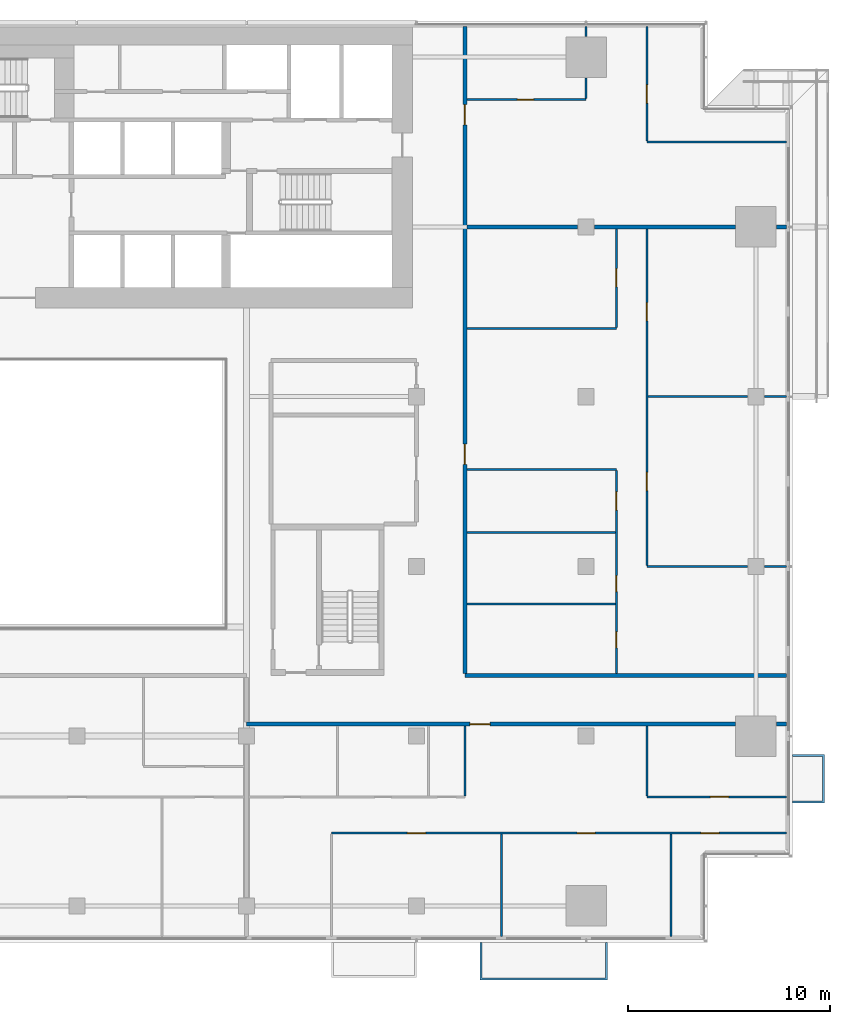
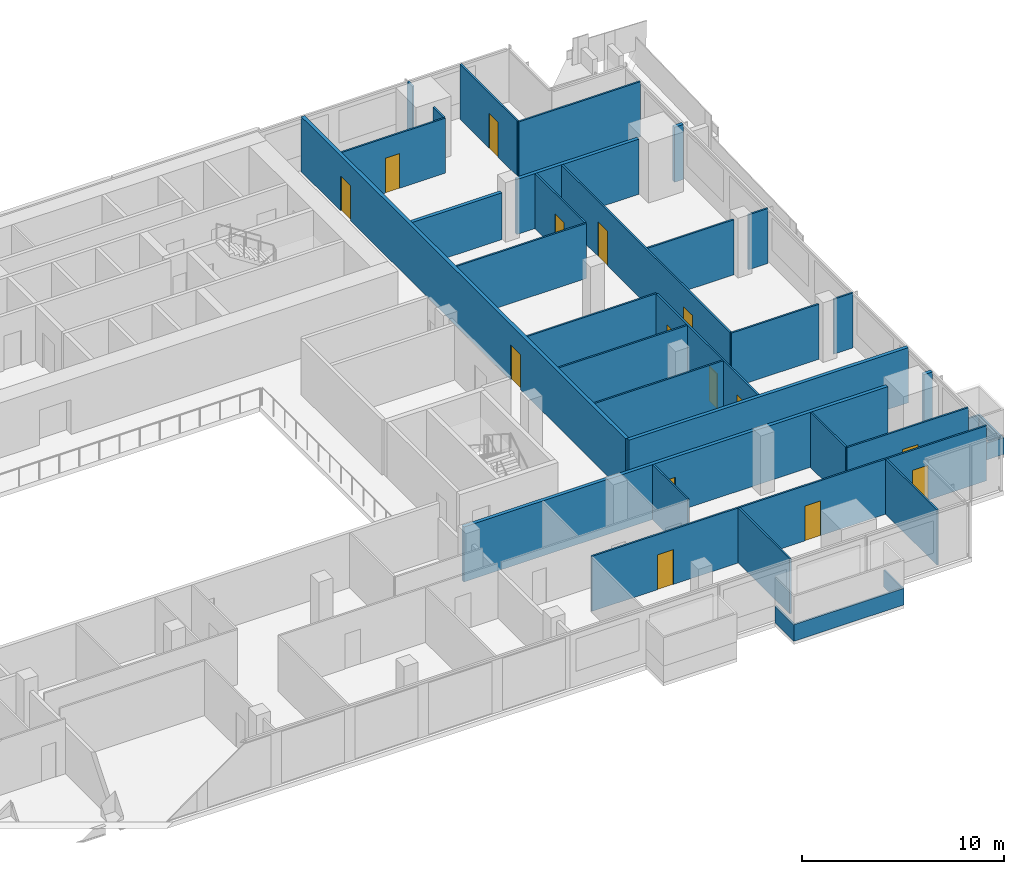
# One storey, part 24 of 29: 31 walls, 15 doors, 15 openings.
"""IFC4 building model written with IfcOpenShell, lengths in metres."""

from ifc_helpers import new_model, si_unit, direction, frame, frame_2d, origin, place, context, subcontext, project, spatial, polyline, rectangle, outline, extrude, material, layer, layer_set, type_object, element, fill, save


model = new_model("IFC4")

# Units and contexts
model_context = context("Model", 3, precision=1e-05, world=origin(), true_north=direction((0.0, 1.0)))
body_context = subcontext(model_context, "Body", "Model", "MODEL_VIEW")
ifc_project = project(units=[si_unit("LENGTHUNIT", "METRE"), si_unit("AREAUNIT", "SQUARE_METRE"), si_unit("VOLUMEUNIT", "CUBIC_METRE"), si_unit("PLANEANGLEUNIT", "RADIAN"), si_unit("MASSUNIT", "GRAM", prefix="KILO")], contexts=[model_context])

# Site, building, storey
site_placement = place(None, origin())
site = spatial("IfcSite", under=ifc_project, at=site_placement, CompositionType="ELEMENT")
building_placement = place(site_placement, origin())
building = spatial("IfcBuilding", under=site, at=building_placement, Name="Saffron Gate Tower", CompositionType="ELEMENT")
storey_placement = place(building_placement, frame((0.0, 0.0, 113.25)))
storey = spatial("IfcBuildingStorey", under=building, at=storey_placement, Name="L26", CompositionType="ELEMENT", Elevation=113.25)

# Wall, openings, doors
ifc_material_1 = material(Name="Plasterboard on steel studs", Category="steel")
ifc_layer_1 = layer(ifc_material_1, 0.10009765625)
ifc_layer_set_1 = layer_set([ifc_layer_1], Name="PW1 Partition 100")
wall_type_1 = type_object("IfcWallType", Name="PW1 Partition 100", PredefinedType="PARTITIONING", material=ifc_layer_set_1)
wall_1_placement = place(storey_placement, frame((126.919921875, 35.39990234375, 0.0), z_axis=(0.0, 0.0, 1.0), x_axis=(-1.0, 0.0, 0.0)))
wall_1 = element("IfcWall", 1, at=wall_1_placement, inside=storey, type_object=wall_type_1, Name="Partition B2-2", PredefinedType="PARTITIONING", context=body_context, shape_type="SweptSolid", body=[
    extrude(rectangle(XDim=22.52001953125, YDim=0.10009765625, at=frame_2d((11.260009765625, 0.0))), origin(), (0.0, 0.0, 1.0), 3.320068359375),
])
opening_1_placement = place(wall_1_placement, frame((3.345703125, 0.0, 0.0)))
opening_1 = element("IfcOpeningElement", 2, at=opening_1_placement, cuts=wall_1, Name="Opening B2-20", PredefinedType="OPENING", context=body_context, shape_type="SweptSolid", body=[
    extrude(rectangle(XDim=0.89990234375, YDim=2.10009765625, at=frame_2d((0.449951171875, 1.050048828125))), frame((0.0, 0.06005859375, 0.0), z_axis=(0.0, -1.0, 0.0), x_axis=(1.0, 0.0, 0.0)), (0.0, 0.0, 1.0), 0.1201171875),
])
opening_2_placement = place(wall_1_placement, frame((9.469970703125, 0.0, 0.0)))
opening_2 = element("IfcOpeningElement", 3, at=opening_2_placement, cuts=wall_1, Name="Opening B2-19", PredefinedType="OPENING", context=body_context, shape_type="SweptSolid", body=[
    extrude(rectangle(XDim=0.89990234375, YDim=2.10009765625, at=frame_2d((0.449951171875, 1.050048828125))), frame((0.0, 0.06005859375, 0.0), z_axis=(0.0, -1.0, 0.0), x_axis=(1.0, 0.0, 0.0)), (0.0, 0.0, 1.0), 0.1201171875),
])
opening_3_placement = place(wall_1_placement, frame((17.8701171875, 0.0, 0.0)))
opening_3 = element("IfcOpeningElement", 4, at=opening_3_placement, cuts=wall_1, Name="Opening B2-18", PredefinedType="OPENING", context=body_context, shape_type="SweptSolid", body=[
    extrude(rectangle(XDim=0.89990234375, YDim=2.10009765625, at=frame_2d((0.449951171875, 1.050048828125))), frame((0.0, 0.06005859375, 0.0), z_axis=(0.0, -1.0, 0.0), x_axis=(1.0, 0.0, 0.0)), (0.0, 0.0, 1.0), 0.1201171875),
])
ifc_material_2 = material(Name="Timber door set", Category="wood")
door_type_1 = type_object("IfcDoorType", Name="RD1 Room door 900x2100", OperationType="NOTDEFINED", PredefinedType="DOOR", material=ifc_material_2)
door_1_placement = place(opening_1_placement, origin())
door_1 = element("IfcDoor", 5, at=door_1_placement, inside=storey, type_object=door_type_1, Name="Door B2-20", OperationType="SINGLE_SWING_RIGHT", OverallHeight=2.10009765625, OverallWidth=0.89990234375, PredefinedType="DOOR", context=body_context, shape_type="SweptSolid", body=[
    extrude(rectangle(XDim=0.89990234375, YDim=2.10009765625, at=frame_2d((0.449951171875, 1.050048828125))), frame((0.0, 0.02490234375, 0.0), z_axis=(0.0, -1.0, 0.0), x_axis=(1.0, 0.0, 0.0)), (0.0, 0.0, 1.0), 0.050048828125),
])
fill(opening_1, door_1)
door_2_placement = place(opening_2_placement, origin())
door_2 = element("IfcDoor", 6, at=door_2_placement, inside=storey, type_object=door_type_1, Name="Door B2-19", OperationType="SINGLE_SWING_RIGHT", OverallHeight=2.10009765625, OverallWidth=0.89990234375, PredefinedType="DOOR", context=body_context, shape_type="SweptSolid", body=[
    extrude(rectangle(XDim=0.89990234375, YDim=2.10009765625, at=frame_2d((0.449951171875, 1.050048828125))), frame((0.0, 0.02490234375, 0.0), z_axis=(0.0, -1.0, 0.0), x_axis=(1.0, 0.0, 0.0)), (0.0, 0.0, 1.0), 0.050048828125),
])
fill(opening_2, door_2)
door_3_placement = place(opening_3_placement, origin())
door_3 = element("IfcDoor", 7, at=door_3_placement, inside=storey, type_object=door_type_1, Name="Door B2-18", OperationType="SINGLE_SWING_RIGHT", OverallHeight=2.10009765625, OverallWidth=0.89990234375, PredefinedType="DOOR", context=body_context, shape_type="SweptSolid", body=[
    extrude(rectangle(XDim=0.89990234375, YDim=2.10009765625, at=frame_2d((0.449951171875, 1.050048828125))), frame((0.0, 0.02490234375, 0.0), z_axis=(0.0, -1.0, 0.0), x_axis=(1.0, 0.0, 0.0)), (0.0, 0.0, 1.0), 0.050048828125),
])
fill(opening_3, door_3)

# Wall, opening, door
wall_2_placement = place(storey_placement, frame((120.0, 37.199951171875, 0.0), z_axis=(0.0, 0.0, 1.0), x_axis=(1.0, 0.0, 0.0)))
wall_2 = element("IfcWall", 8, at=wall_2_placement, inside=storey, type_object=wall_type_1, Name="Partition B2-6", PredefinedType="PARTITIONING", context=body_context, shape_type="SweptSolid", body=[
    extrude(rectangle(XDim=6.919921875, YDim=0.10009765625, at=frame_2d((3.4599609375, 0.0))), origin(), (0.0, 0.0, 1.0), 3.320068359375),
])
opening_4_placement = place(wall_2_placement, frame((3.14990234375, 0.0, 0.0)))
opening_4 = element("IfcOpeningElement", 9, at=opening_4_placement, cuts=wall_2, Name="Opening B2-21", PredefinedType="OPENING", context=body_context, shape_type="SweptSolid", body=[
    extrude(rectangle(XDim=0.89990234375, YDim=2.10009765625, at=frame_2d((0.449951171875, 1.050048828125))), frame((0.0, 0.06005859375, 0.0), z_axis=(0.0, -1.0, 0.0), x_axis=(1.0, 0.0, 0.0)), (0.0, 0.0, 1.0), 0.1201171875),
])
door_4_placement = place(opening_4_placement, origin())
door_4 = element("IfcDoor", 10, at=door_4_placement, inside=storey, type_object=door_type_1, Name="Door B2-21", OperationType="SINGLE_SWING_RIGHT", OverallHeight=2.10009765625, OverallWidth=0.89990234375, PredefinedType="DOOR", context=body_context, shape_type="SweptSolid", body=[
    extrude(rectangle(XDim=0.89990234375, YDim=2.10009765625, at=frame_2d((0.449951171875, 1.050048828125))), frame((0.0, 0.02490234375, 0.0), z_axis=(0.0, -1.0, 0.0), x_axis=(1.0, 0.0, 0.0)), (0.0, 0.0, 1.0), 0.050048828125),
])
fill(opening_4, door_4)

# Walls
wall_3_placement = place(storey_placement, frame((111.10009765625, 46.7333984375, 0.0), z_axis=(0.0, 0.0, 1.0), x_axis=(1.0, 0.0, 0.0)))
element("IfcWall", 11, at=wall_3_placement, inside=storey, type_object=wall_type_1, Name="Partition B2-17", PredefinedType="PARTITIONING", context=body_context, shape_type="SweptSolid", body=[
    extrude(rectangle(XDim=7.349853515625, YDim=0.10009765625, at=frame_2d((3.6748046875, 0.0))), origin(), (0.0, 0.0, 1.0), 3.320068359375),
])
wall_4_placement = place(storey_placement, frame((120.0, 48.60009765625, 0.0), z_axis=(0.0, 0.0, 1.0), x_axis=(1.0, 0.0, 0.0)))
element("IfcWall", 12, at=wall_4_placement, inside=storey, type_object=wall_type_1, Name="Partition B2-21", PredefinedType="PARTITIONING", context=body_context, shape_type="SweptSolid", body=[
    extrude(rectangle(XDim=4.97998046875, YDim=0.10009765625, at=frame_2d((2.489990234375, 0.0))), origin(), (0.0, 0.0, 1.0), 3.320068359375),
])
wall_5_placement = place(storey_placement, frame((125.820068359375, 48.60009765625, 0.0), z_axis=(0.0, 0.0, 1.0), x_axis=(1.0, 0.0, 0.0)))
element("IfcWall", 13, at=wall_5_placement, inside=storey, type_object=wall_type_1, Name="Partition B2-22", PredefinedType="PARTITIONING", context=body_context, shape_type="SweptSolid", body=[
    extrude(rectangle(XDim=1.099853515625, YDim=0.10009765625, at=frame_2d((0.5498046875, 0.0))), origin(), (0.0, 0.0, 1.0), 3.320068359375),
])
wall_6_placement = place(storey_placement, frame((111.10009765625, 50.2666015625, 0.0), z_axis=(0.0, 0.0, 1.0), x_axis=(1.0, 0.0, 0.0)))
element("IfcWall", 14, at=wall_6_placement, inside=storey, type_object=wall_type_1, Name="Partition B2-23", PredefinedType="PARTITIONING", context=body_context, shape_type="SweptSolid", body=[
    extrude(rectangle(XDim=7.349853515625, YDim=0.10009765625, at=frame_2d((3.6748046875, 0.0))), origin(), (0.0, 0.0, 1.0), 3.320068359375),
])
wall_7_placement = place(storey_placement, frame((111.10009765625, 53.39990234375, 0.0), z_axis=(0.0, 0.0, 1.0), x_axis=(1.0, 0.0, 0.0)))
element("IfcWall", 15, at=wall_7_placement, inside=storey, type_object=wall_type_1, Name="Partition B2-26", PredefinedType="PARTITIONING", context=body_context, shape_type="SweptSolid", body=[
    extrude(rectangle(XDim=7.39990234375, YDim=0.10009765625, at=frame_2d((3.699951171875, 0.0))), origin(), (0.0, 0.0, 1.0), 3.320068359375),
])
wall_8_placement = place(storey_placement, frame((120.050048828125, 57.0, 0.0), z_axis=(0.0, 0.0, 1.0), x_axis=(1.0, 0.0, 0.0)))
element("IfcWall", 16, at=wall_8_placement, inside=storey, type_object=wall_type_1, Name="Partition B2-32", PredefinedType="PARTITIONING", context=body_context, shape_type="SweptSolid", body=[
    extrude(rectangle(XDim=4.929931640625, YDim=0.10009765625, at=frame_2d((2.46484375, 0.0))), origin(), (0.0, 0.0, 1.0), 3.320068359375),
])
wall_9_placement = place(storey_placement, frame((125.820068359375, 57.0, 0.0), z_axis=(0.0, 0.0, 1.0), x_axis=(1.0, 0.0, 0.0)))
element("IfcWall", 17, at=wall_9_placement, inside=storey, type_object=wall_type_1, Name="Partition B2-33", PredefinedType="PARTITIONING", context=body_context, shape_type="SweptSolid", body=[
    extrude(rectangle(XDim=1.099853515625, YDim=0.10009765625, at=frame_2d((0.5498046875, 0.0))), origin(), (0.0, 0.0, 1.0), 3.320068359375),
])
wall_10_placement = place(storey_placement, frame((111.10009765625, 60.36669921875, 0.0), z_axis=(0.0, 0.0, 1.0), x_axis=(1.0, 0.0, 0.0)))
element("IfcWall", 18, at=wall_10_placement, inside=storey, type_object=wall_type_1, Name="Partition B2-37", PredefinedType="PARTITIONING", context=body_context, shape_type="SweptSolid", body=[
    extrude(rectangle(XDim=7.39990234375, YDim=0.10009765625, at=frame_2d((3.699951171875, 0.0))), origin(), (0.0, 0.0, 1.0), 3.320068359375),
])
wall_11_placement = place(storey_placement, frame((120.0, 69.60009765625, 0.0), z_axis=(0.0, 0.0, 1.0), x_axis=(1.0, 0.0, 0.0)))
element("IfcWall", 19, at=wall_11_placement, inside=storey, type_object=wall_type_1, Name="Partition B2-47", PredefinedType="PARTITIONING", context=body_context, shape_type="SweptSolid", body=[
    extrude(rectangle(XDim=6.919921875, YDim=0.10009765625, at=frame_2d((3.4599609375, 0.0))), origin(), (0.0, 0.0, 1.0), 3.320068359375),
])

# Wall, opening, door
wall_12_placement = place(storey_placement, frame((111.10009765625, 71.699951171875, 0.0), z_axis=(0.0, 0.0, 1.0), x_axis=(1.0, 0.0, 0.0)))
wall_12 = element("IfcWall", 20, at=wall_12_placement, inside=storey, type_object=wall_type_1, Name="Partition B2-48", PredefinedType="PARTITIONING", context=body_context, shape_type="SweptSolid", body=[
    extrude(rectangle(XDim=5.89990234375, YDim=0.10009765625, at=frame_2d((2.949951171875, 0.0))), origin(), (0.0, 0.0, 1.0), 3.320068359375),
])
opening_5_placement = place(wall_12_placement, frame((2.5, 0.0, 0.0)))
opening_5 = element("IfcOpeningElement", 21, at=opening_5_placement, cuts=wall_12, Name="Opening B2-47", PredefinedType="OPENING", context=body_context, shape_type="SweptSolid", body=[
    extrude(rectangle(XDim=0.800048828125, YDim=2.10009765625, at=frame_2d((0.39990234375, 1.050048828125))), frame((0.0, 0.06005859375, 0.0), z_axis=(0.0, -1.0, 0.0), x_axis=(1.0, 0.0, 0.0)), (0.0, 0.0, 1.0), 0.1201171875),
])
door_type_2 = type_object("IfcDoorType", Name="RD2 Bathroom door 800x2100", OperationType="NOTDEFINED", PredefinedType="DOOR", material=ifc_material_2)
door_5_placement = place(opening_5_placement, origin())
door_5 = element("IfcDoor", 22, at=door_5_placement, inside=storey, type_object=door_type_2, Name="Door B2-47", OperationType="SINGLE_SWING_LEFT", OverallHeight=2.10009765625, OverallWidth=0.800048828125, PredefinedType="DOOR", context=body_context, shape_type="SweptSolid", body=[
    extrude(rectangle(XDim=0.800048828125, YDim=2.10009765625, at=frame_2d((0.39990234375, 1.050048828125))), frame((0.0, 0.02490234375, 0.0), z_axis=(0.0, -1.0, 0.0), x_axis=(1.0, 0.0, 0.0)), (0.0, 0.0, 1.0), 0.050048828125),
])
fill(opening_5, door_5)

# Walls
wall_13_placement = place(storey_placement, frame((111.0, 40.699951171875, 0.0), z_axis=(0.0, 0.0, 1.0), x_axis=(0.0, -1.0, 0.0)))
element("IfcWall", 23, at=wall_13_placement, inside=storey, type_object=wall_type_1, Name="Partition B2-90", PredefinedType="PARTITIONING", context=body_context, shape_type="SweptSolid", body=[
    extrude(rectangle(XDim=3.449951171875, YDim=0.10009765625, at=frame_2d((1.72509765625, 0.0))), origin(), (0.0, 0.0, 1.0), 3.320068359375),
])
wall_14_placement = place(storey_placement, frame((112.800048828125, 35.35009765625, 0.0), z_axis=(0.0, 0.0, 1.0), x_axis=(0.0, -1.0, 0.0)))
element("IfcWall", 24, at=wall_14_placement, inside=storey, type_object=wall_type_1, Name="Partition B2-91", PredefinedType="PARTITIONING", context=body_context, shape_type="SweptSolid", body=[
    extrude(rectangle(XDim=5.070068359375, YDim=0.10009765625, at=frame_2d((2.53515625, 0.0))), origin(), (0.0, 0.0, 1.0), 3.320068359375),
])
wall_15_placement = place(storey_placement, frame((117.0, 72.780029296875, 0.0), z_axis=(0.0, 0.0, 1.0), x_axis=(0.0, -1.0, 0.0)))
element("IfcWall", 25, at=wall_15_placement, inside=storey, type_object=wall_type_1, Name="Partition B2-92", PredefinedType="PARTITIONING", context=body_context, shape_type="SweptSolid", body=[
    extrude(rectangle(XDim=1.030029296875, YDim=0.10009765625, at=frame_2d((0.51513671875, 0.0))), origin(), (0.0, 0.0, 1.0), 3.320068359375),
])
wall_16_placement = place(storey_placement, frame((117.0, 75.320068359375, 0.0), z_axis=(0.0, 0.0, 1.0), x_axis=(0.0, -1.0, 0.0)))
element("IfcWall", 26, at=wall_16_placement, inside=storey, type_object=wall_type_1, Name="Partition B2-93", PredefinedType="PARTITIONING", context=body_context, shape_type="SweptSolid", body=[
    extrude(rectangle(XDim=0.5, YDim=0.10009765625, at=frame_2d((0.25, 0.0))), origin(), (0.0, 0.0, 1.0), 3.320068359375),
])

# Wall, openings, doors
wall_17_placement = place(storey_placement, frame((118.5, 43.300048828125, 0.0), z_axis=(0.0, 0.0, 1.0), x_axis=(0.0, 1.0, 0.0)))
wall_17 = element("IfcWall", 27, at=wall_17_placement, inside=storey, type_object=wall_type_1, Name="Partition B2-94", PredefinedType="PARTITIONING", context=body_context, shape_type="SweptSolid", body=[
    extrude(rectangle(XDim=10.050048828125, YDim=0.10009765625, at=frame_2d((5.02490234375, 0.0))), origin(), (0.0, 0.0, 1.0), 3.320068359375),
])
opening_6_placement = place(wall_17_placement, frame((1.2666015625, 0.0, 0.0)))
opening_6 = element("IfcOpeningElement", 28, at=opening_6_placement, cuts=wall_17, Name="Opening B2-45", PredefinedType="OPENING", context=body_context, shape_type="SweptSolid", body=[
    extrude(rectangle(XDim=0.800048828125, YDim=2.10009765625, at=frame_2d((0.39990234375, 1.050048828125))), frame((0.0, 0.06005859375, 0.0), z_axis=(0.0, -1.0, 0.0), x_axis=(1.0, 0.0, 0.0)), (0.0, 0.0, 1.0), 0.1201171875),
])
opening_7_placement = place(wall_17_placement, frame((4.050048828125, 0.0, 0.0)))
opening_7 = element("IfcOpeningElement", 29, at=opening_7_placement, cuts=wall_17, Name="Opening B2-46", PredefinedType="OPENING", context=body_context, shape_type="SweptSolid", body=[
    extrude(rectangle(XDim=0.800048828125, YDim=2.10009765625, at=frame_2d((0.39990234375, 1.050048828125))), frame((0.0, 0.06005859375, 0.0), z_axis=(0.0, -1.0, 0.0), x_axis=(1.0, 0.0, 0.0)), (0.0, 0.0, 1.0), 0.1201171875),
])
opening_8_placement = place(wall_17_placement, frame((8.083251953125, 0.0, 0.0)))
opening_8 = element("IfcOpeningElement", 30, at=opening_8_placement, cuts=wall_17, Name="Opening B2-33", PredefinedType="OPENING", context=body_context, shape_type="SweptSolid", body=[
    extrude(rectangle(XDim=0.89990234375, YDim=2.10009765625, at=frame_2d((0.449951171875, 1.050048828125))), frame((0.0, 0.06005859375, 0.0), z_axis=(0.0, -1.0, 0.0), x_axis=(1.0, 0.0, 0.0)), (0.0, 0.0, 1.0), 0.1201171875),
])
door_6_placement = place(opening_8_placement, origin())
door_6 = element("IfcDoor", 31, at=door_6_placement, inside=storey, type_object=door_type_1, Name="Door B2-33", OperationType="SINGLE_SWING_RIGHT", OverallHeight=2.10009765625, OverallWidth=0.89990234375, PredefinedType="DOOR", context=body_context, shape_type="SweptSolid", body=[
    extrude(rectangle(XDim=0.89990234375, YDim=2.10009765625, at=frame_2d((0.449951171875, 1.050048828125))), frame((0.0, 0.02490234375, 0.0), z_axis=(0.0, -1.0, 0.0), x_axis=(1.0, 0.0, 0.0)), (0.0, 0.0, 1.0), 0.050048828125),
])
fill(opening_8, door_6)
door_7_placement = place(opening_6_placement, origin())
door_7 = element("IfcDoor", 32, at=door_7_placement, inside=storey, type_object=door_type_2, Name="Door B2-45", OperationType="SINGLE_SWING_LEFT", OverallHeight=2.10009765625, OverallWidth=0.800048828125, PredefinedType="DOOR", context=body_context, shape_type="SweptSolid", body=[
    extrude(rectangle(XDim=0.800048828125, YDim=2.10009765625, at=frame_2d((0.39990234375, 1.050048828125))), frame((0.0, 0.02490234375, 0.0), z_axis=(0.0, -1.0, 0.0), x_axis=(1.0, 0.0, 0.0)), (0.0, 0.0, 1.0), 0.050048828125),
])
fill(opening_6, door_7)
door_8_placement = place(opening_7_placement, origin())
door_8 = element("IfcDoor", 33, at=door_8_placement, inside=storey, type_object=door_type_2, Name="Door B2-46", OperationType="SINGLE_SWING_LEFT", OverallHeight=2.10009765625, OverallWidth=0.800048828125, PredefinedType="DOOR", context=body_context, shape_type="SweptSolid", body=[
    extrude(rectangle(XDim=0.800048828125, YDim=2.10009765625, at=frame_2d((0.39990234375, 1.050048828125))), frame((0.0, 0.02490234375, 0.0), z_axis=(0.0, -1.0, 0.0), x_axis=(1.0, 0.0, 0.0)), (0.0, 0.0, 1.0), 0.050048828125),
])
fill(opening_7, door_8)

# Wall, opening, door
wall_18_placement = place(storey_placement, frame((118.5, 60.416748046875, 0.0), z_axis=(0.0, 0.0, 1.0), x_axis=(0.0, 1.0, 0.0)))
wall_18 = element("IfcWall", 34, at=wall_18_placement, inside=storey, type_object=wall_type_1, Name="Partition B2-95", PredefinedType="PARTITIONING", context=body_context, shape_type="SweptSolid", body=[
    extrude(rectangle(XDim=4.88330078125, YDim=0.10009765625, at=frame_2d((2.441650390625, 0.0))), origin(), (0.0, 0.0, 1.0), 3.320068359375),
])
opening_9_placement = place(wall_18_placement, frame((2.0166015625, 0.0, 0.0)))
opening_9 = element("IfcOpeningElement", 35, at=opening_9_placement, cuts=wall_18, Name="Opening B2-32", PredefinedType="OPENING", context=body_context, shape_type="SweptSolid", body=[
    extrude(rectangle(XDim=0.89990234375, YDim=2.10009765625, at=frame_2d((0.449951171875, 1.050048828125))), frame((0.0, 0.06005859375, 0.0), z_axis=(0.0, -1.0, 0.0), x_axis=(1.0, 0.0, 0.0)), (0.0, 0.0, 1.0), 0.1201171875),
])
door_9_placement = place(opening_9_placement, origin())
door_9 = element("IfcDoor", 36, at=door_9_placement, inside=storey, type_object=door_type_1, Name="Door B2-32", OperationType="SINGLE_SWING_RIGHT", OverallHeight=2.10009765625, OverallWidth=0.89990234375, PredefinedType="DOOR", context=body_context, shape_type="SweptSolid", body=[
    extrude(rectangle(XDim=0.89990234375, YDim=2.10009765625, at=frame_2d((0.449951171875, 1.050048828125))), frame((0.0, 0.02490234375, 0.0), z_axis=(0.0, -1.0, 0.0), x_axis=(1.0, 0.0, 0.0)), (0.0, 0.0, 1.0), 0.050048828125),
])
fill(opening_9, door_9)

# Wall
wall_19_placement = place(storey_placement, frame((120.0, 40.699951171875, 0.0), z_axis=(0.0, 0.0, 1.0), x_axis=(0.0, -1.0, 0.0)))
element("IfcWall", 37, at=wall_19_placement, inside=storey, type_object=wall_type_1, Name="Partition B2-96", PredefinedType="PARTITIONING", context=body_context, shape_type="SweptSolid", body=[
    extrude(rectangle(XDim=3.449951171875, YDim=0.10009765625, at=frame_2d((1.72509765625, 0.0))), origin(), (0.0, 0.0, 1.0), 3.320068359375),
])

# Wall, openings, doors
wall_20_placement = place(storey_placement, frame((120.0, 65.300048828125, 0.0), z_axis=(0.0, 0.0, 1.0), x_axis=(0.0, -1.0, 0.0)))
wall_20 = element("IfcWall", 38, at=wall_20_placement, inside=storey, type_object=wall_type_1, Name="Partition B2-97", PredefinedType="PARTITIONING", context=body_context, shape_type="SweptSolid", body=[
    extrude(rectangle(XDim=16.650146484375, YDim=0.10009765625, at=frame_2d((8.3251953125, 0.0))), origin(), (0.0, 0.0, 1.0), 3.320068359375),
])
opening_10_placement = place(wall_20_placement, frame((3.64990234375, 0.0, 0.0)))
opening_10 = element("IfcOpeningElement", 39, at=opening_10_placement, cuts=wall_20, Name="Opening B2-31", PredefinedType="OPENING", context=body_context, shape_type="SweptSolid", body=[
    extrude(rectangle(XDim=0.89990234375, YDim=2.10009765625, at=frame_2d((0.449951171875, 1.050048828125))), frame((0.0, 0.06005859375, 0.0), z_axis=(0.0, -1.0, 0.0), x_axis=(1.0, 0.0, 0.0)), (0.0, 0.0, 1.0), 0.1201171875),
])
opening_11_placement = place(wall_20_placement, frame((12.050048828125, 0.0, 0.0)))
opening_11 = element("IfcOpeningElement", 40, at=opening_11_placement, cuts=wall_20, Name="Opening B2-30", PredefinedType="OPENING", context=body_context, shape_type="SweptSolid", body=[
    extrude(rectangle(XDim=0.89990234375, YDim=2.10009765625, at=frame_2d((0.449951171875, 1.050048828125))), frame((0.0, 0.06005859375, 0.0), z_axis=(0.0, -1.0, 0.0), x_axis=(1.0, 0.0, 0.0)), (0.0, 0.0, 1.0), 0.1201171875),
])
door_10_placement = place(opening_10_placement, origin())
door_10 = element("IfcDoor", 41, at=door_10_placement, inside=storey, type_object=door_type_1, Name="Door B2-31", OperationType="SINGLE_SWING_LEFT", OverallHeight=2.10009765625, OverallWidth=0.89990234375, PredefinedType="DOOR", context=body_context, shape_type="SweptSolid", body=[
    extrude(rectangle(XDim=0.89990234375, YDim=2.10009765625, at=frame_2d((0.449951171875, 1.050048828125))), frame((0.0, 0.02490234375, 0.0), z_axis=(0.0, -1.0, 0.0), x_axis=(1.0, 0.0, 0.0)), (0.0, 0.0, 1.0), 0.050048828125),
])
fill(opening_10, door_10)
door_11_placement = place(opening_11_placement, origin())
door_11 = element("IfcDoor", 42, at=door_11_placement, inside=storey, type_object=door_type_1, Name="Door B2-30", OperationType="SINGLE_SWING_RIGHT", OverallHeight=2.10009765625, OverallWidth=0.89990234375, PredefinedType="DOOR", context=body_context, shape_type="SweptSolid", body=[
    extrude(rectangle(XDim=0.89990234375, YDim=2.10009765625, at=frame_2d((0.449951171875, 1.050048828125))), frame((0.0, 0.02490234375, 0.0), z_axis=(0.0, -1.0, 0.0), x_axis=(1.0, 0.0, 0.0)), (0.0, 0.0, 1.0), 0.050048828125),
])
fill(opening_11, door_11)

# Wall, opening, door
wall_21_placement = place(storey_placement, frame((120.0, 75.320068359375, 0.0), z_axis=(0.0, 0.0, 1.0), x_axis=(0.0, -1.0, 0.0)))
wall_21 = element("IfcWall", 43, at=wall_21_placement, inside=storey, type_object=wall_type_1, Name="Partition B2-98", PredefinedType="PARTITIONING", context=body_context, shape_type="SweptSolid", body=[
    extrude(rectangle(XDim=5.670166015625, YDim=0.10009765625, at=frame_2d((2.8349609375, 0.0))), origin(), (0.0, 0.0, 1.0), 3.320068359375),
])
opening_12_placement = place(wall_21_placement, frame((2.89111328125, 0.0, 0.0)))
opening_12 = element("IfcOpeningElement", 44, at=opening_12_placement, cuts=wall_21, Name="Opening B2-34", PredefinedType="OPENING", context=body_context, shape_type="SweptSolid", body=[
    extrude(rectangle(XDim=0.89990234375, YDim=2.10009765625, at=frame_2d((0.449951171875, 1.050048828125))), frame((0.0, 0.06005859375, 0.0), z_axis=(0.0, -1.0, 0.0), x_axis=(1.0, 0.0, 0.0)), (0.0, 0.0, 1.0), 0.1201171875),
])
door_12_placement = place(opening_12_placement, origin())
door_12 = element("IfcDoor", 45, at=door_12_placement, inside=storey, type_object=door_type_1, Name="Door B2-34", OperationType="SINGLE_SWING_RIGHT", OverallHeight=2.10009765625, OverallWidth=0.89990234375, PredefinedType="DOOR", context=body_context, shape_type="SweptSolid", body=[
    extrude(rectangle(XDim=0.89990234375, YDim=2.10009765625, at=frame_2d((0.449951171875, 1.050048828125))), frame((0.0, 0.02490234375, 0.0), z_axis=(0.0, -1.0, 0.0), x_axis=(1.0, 0.0, 0.0)), (0.0, 0.0, 1.0), 0.050048828125),
])
fill(opening_12, door_12)

# Walls
wall_22_placement = place(storey_placement, frame((121.199951171875, 35.35009765625, 0.0), z_axis=(0.0, 0.0, 1.0), x_axis=(0.0, -1.0, 0.0)))
element("IfcWall", 46, at=wall_22_placement, inside=storey, type_object=wall_type_1, Name="Partition B2-99", PredefinedType="PARTITIONING", context=body_context, shape_type="SweptSolid", body=[
    extrude(rectangle(XDim=5.070068359375, YDim=0.10009765625, at=frame_2d((2.53515625, 0.0))), origin(), (0.0, 0.0, 1.0), 3.320068359375),
])
ifc_material_3 = material(Name="Clay brick masonry, rendered", Category="masonry")
ifc_layer_2 = layer(ifc_material_3, 0.199951171875)
ifc_layer_set_2 = layer_set([ifc_layer_2], Name="PW2 Demising wall 200")
wall_type_2 = type_object("IfcWallType", Name="PW2 Demising wall 200", PredefinedType="PARTITIONING", material=ifc_layer_set_2)
wall_23_placement = place(storey_placement, frame((111.10009765625, 65.39990234375, 0.0), z_axis=(0.0, 0.0, 1.0), x_axis=(1.0, 0.0, 0.0)))
element("IfcWall", 47, at=wall_23_placement, inside=storey, type_object=wall_type_2, Name="Wall B2-40", PredefinedType="PARTITIONING", context=body_context, shape_type="SweptSolid", body=[
    extrude(rectangle(XDim=5.47998046875, YDim=0.199951171875, at=frame_2d((2.739990234375, 0.0))), origin(), (0.0, 0.0, 1.0), 2.820068359375),
])
wall_24_placement = place(storey_placement, frame((117.419921875, 65.39990234375, 0.0), z_axis=(0.0, 0.0, 1.0), x_axis=(1.0, 0.0, 0.0)))
element("IfcWall", 48, at=wall_24_placement, inside=storey, type_object=wall_type_2, Name="Wall B2-41", PredefinedType="PARTITIONING", context=body_context, shape_type="SweptSolid", body=[
    extrude(rectangle(XDim=6.9599609375, YDim=0.199951171875, at=frame_2d((3.47998046875, 0.0))), origin(), (0.0, 0.0, 1.0), 3.320068359375),
])
wall_25_placement = place(storey_placement, frame((126.419921875, 65.39990234375, 0.0), z_axis=(0.0, 0.0, 1.0), x_axis=(1.0, 0.0, 0.0)))
element("IfcWall", 49, at=wall_25_placement, inside=storey, type_object=wall_type_2, Name="Wall B2-42", PredefinedType="PARTITIONING", context=body_context, shape_type="SweptSolid", body=[
    extrude(rectangle(XDim=0.5, YDim=0.199951171875, at=frame_2d((0.25, 0.0))), origin(), (0.0, 0.0, 1.0), 3.320068359375),
])

# Wall, opening, door
ifc_layer_3 = layer(ifc_material_3, 0.199951171875)
ifc_layer_set_3 = layer_set([ifc_layer_3], Name="PW3 Corridor wall 200")
wall_type_3 = type_object("IfcWallType", Name="PW3 Corridor wall 200", PredefinedType="PARTITIONING", material=ifc_layer_set_3)
wall_26_placement = place(storey_placement, frame((124.3798828125, 40.800048828125, 0.0), z_axis=(0.0, 0.0, 1.0), x_axis=(-1.0, 0.0, 0.0)))
wall_26 = element("IfcWall", 50, at=wall_26_placement, inside=storey, type_object=wall_type_3, Name="Wall B2-11", PredefinedType="PARTITIONING", context=body_context, shape_type="SweptSolid", body=[
    extrude(rectangle(XDim=24.179931640625, YDim=0.199951171875, at=frame_2d((12.08984375, 0.0))), origin(), (0.0, 0.0, 1.0), 3.320068359375),
])
opening_13_placement = place(wall_26_placement, frame((12.1298828125, 0.0, 0.0)))
opening_13 = element("IfcOpeningElement", 51, at=opening_13_placement, cuts=wall_26, Name="Opening B2-3", PredefinedType="OPENING", context=body_context, shape_type="SweptSolid", body=[
    extrude(rectangle(XDim=1.0, YDim=2.10009765625, at=frame_2d((0.5, 1.050048828125))), frame((0.0, 0.10986328125, 0.0), z_axis=(0.0, -1.0, 0.0), x_axis=(1.0, 0.0, 0.0)), (0.0, 0.0, 1.0), 0.219970703125),
])
ifc_material_4 = material(Name="Timber fire door set", Category="wood")
door_type_3 = type_object("IfcDoorType", Name="FD1 Flat entry door 1000x2100", OperationType="NOTDEFINED", PredefinedType="DOOR", material=ifc_material_4)
door_13_placement = place(opening_13_placement, origin())
door_13 = element("IfcDoor", 52, at=door_13_placement, inside=storey, type_object=door_type_3, Name="Door B2-3", OperationType="SINGLE_SWING_RIGHT", OverallHeight=2.10009765625, OverallWidth=1.0, PredefinedType="DOOR", context=body_context, shape_type="SweptSolid", body=[
    extrude(rectangle(XDim=1.0, YDim=2.10009765625, at=frame_2d((0.5, 1.050048828125))), frame((0.0, 0.02490234375, 0.0), z_axis=(0.0, -1.0, 0.0), x_axis=(1.0, 0.0, 0.0)), (0.0, 0.0, 1.0), 0.050048828125),
])
fill(opening_13, door_13)

# Walls
wall_27_placement = place(storey_placement, frame((126.419921875, 40.800048828125, 0.0), z_axis=(0.0, 0.0, 1.0), x_axis=(1.0, 0.0, 0.0)))
element("IfcWall", 53, at=wall_27_placement, inside=storey, type_object=wall_type_3, Name="Wall B2-12", PredefinedType="PARTITIONING", context=body_context, shape_type="SweptSolid", body=[
    extrude(rectangle(XDim=0.5, YDim=0.199951171875, at=frame_2d((0.25, 0.0))), origin(), (0.0, 0.0, 1.0), 3.320068359375),
])
wall_28_placement = place(storey_placement, frame((111.0, 43.199951171875, 0.0), z_axis=(0.0, 0.0, 1.0), x_axis=(1.0, 0.0, 0.0)))
element("IfcWall", 54, at=wall_28_placement, inside=storey, type_object=wall_type_3, Name="Wall B2-15", PredefinedType="PARTITIONING", context=body_context, shape_type="SweptSolid", body=[
    extrude(rectangle(XDim=15.919921875, YDim=0.199951171875, at=frame_2d((7.9599609375, 0.0))), origin(), (0.0, 0.0, 1.0), 3.320068359375),
])

# Wall, openings, doors
wall_29_placement = place(storey_placement, frame((111.0, 75.320068359375, 0.0), z_axis=(0.0, 0.0, 1.0), x_axis=(0.0, -1.0, 0.0)))
wall_29 = element("IfcWall", 55, at=wall_29_placement, inside=storey, type_object=wall_type_3, Name="Wall B2-89", PredefinedType="PARTITIONING", context=body_context, shape_type="SweptSolid", body=[
    extrude(rectangle(XDim=32.02001953125, YDim=0.199951171875, at=frame_2d((16.010009765625, 0.0))), origin(), (0.0, 0.0, 1.0), 3.320068359375),
])
opening_14_placement = place(wall_29_placement, frame((3.8701171875, 0.0, 0.0)))
opening_14 = element("IfcOpeningElement", 56, at=opening_14_placement, cuts=wall_29, Name="Opening B2-7", PredefinedType="OPENING", context=body_context, shape_type="SweptSolid", body=[
    extrude(rectangle(XDim=1.0, YDim=2.10009765625, at=frame_2d((0.5, 1.050048828125))), frame((0.0, 0.10986328125, 0.0), z_axis=(0.0, -1.0, 0.0), x_axis=(1.0, 0.0, 0.0)), (0.0, 0.0, 1.0), 0.219970703125),
])
opening_15_placement = place(wall_29_placement, frame((20.669921875, 0.0, 0.0)))
opening_15 = element("IfcOpeningElement", 57, at=opening_15_placement, cuts=wall_29, Name="Opening B2-6", PredefinedType="OPENING", context=body_context, shape_type="SweptSolid", body=[
    extrude(rectangle(XDim=1.0, YDim=2.10009765625, at=frame_2d((0.5, 1.050048828125))), frame((0.0, 0.10986328125, 0.0), z_axis=(0.0, -1.0, 0.0), x_axis=(1.0, 0.0, 0.0)), (0.0, 0.0, 1.0), 0.219970703125),
])
door_14_placement = place(opening_14_placement, origin())
door_14 = element("IfcDoor", 58, at=door_14_placement, inside=storey, type_object=door_type_3, Name="Door B2-7", OperationType="SINGLE_SWING_RIGHT", OverallHeight=2.10009765625, OverallWidth=1.0, PredefinedType="DOOR", context=body_context, shape_type="SweptSolid", body=[
    extrude(rectangle(XDim=1.0, YDim=2.10009765625, at=frame_2d((0.5, 1.050048828125))), frame((0.0, 0.02490234375, 0.0), z_axis=(0.0, -1.0, 0.0), x_axis=(1.0, 0.0, 0.0)), (0.0, 0.0, 1.0), 0.050048828125),
])
fill(opening_14, door_14)
door_15_placement = place(opening_15_placement, origin())
door_15 = element("IfcDoor", 59, at=door_15_placement, inside=storey, type_object=door_type_3, Name="Door B2-6", OperationType="SINGLE_SWING_LEFT", OverallHeight=2.10009765625, OverallWidth=1.0, PredefinedType="DOOR", context=body_context, shape_type="SweptSolid", body=[
    extrude(rectangle(XDim=1.0, YDim=2.10009765625, at=frame_2d((0.5, 1.050048828125))), frame((0.0, 0.02490234375, 0.0), z_axis=(0.0, -1.0, 0.0), x_axis=(1.0, 0.0, 0.0)), (0.0, 0.0, 1.0), 0.050048828125),
])
fill(opening_15, door_15)

# Walls
ifc_material_5 = material(Name="Rendered insulated panel, white")
ifc_layer_4 = layer(ifc_material_5, 0.10009765625)
ifc_layer_set_4 = layer_set([ifc_layer_4], Name="WB3 box parapet white")
wall_type_4 = type_object("IfcWallType", Name="WB3 box parapet white", PredefinedType="SOLIDWALL", material=ifc_layer_set_4)
wall_30_placement = place(storey_placement, origin())
element("IfcWall", 60, at=wall_30_placement, inside=storey, type_object=wall_type_4, Name="WINDOW BOX parapet", PredefinedType="SOLIDWALL", context=body_context, shape_type="SweptSolid", body=[
    extrude(outline(polyline([(111.75, 30.0), (111.85009765625, 30.0), (111.85009765625, 28.23291015625), (117.949951171875, 28.23291015625), (117.949951171875, 30.0), (118.050048828125, 30.0), (118.050048828125, 28.133056640625), (111.75, 28.133056640625), (111.75, 30.0)])), origin(), (0.0, 0.0, 1.0), 1.0),
])
wall_31_placement = place(storey_placement, origin())
element("IfcWall", 61, at=wall_31_placement, inside=storey, type_object=wall_type_4, Name="WINDOW BOX parapet", PredefinedType="SOLIDWALL", context=body_context, shape_type="SweptSolid", body=[
    extrude(outline(polyline([(127.199951171875, 36.89990234375), (127.199951171875, 37.0), (128.699951171875, 37.0), (128.699951171875, 39.199951171875), (127.199951171875, 39.199951171875), (127.199951171875, 39.300048828125), (128.800048828125, 39.300048828125), (128.800048828125, 36.89990234375), (127.199951171875, 36.89990234375)])), origin(), (0.0, 0.0, 1.0), 1.0),
])

save(model, "model.ifc")
